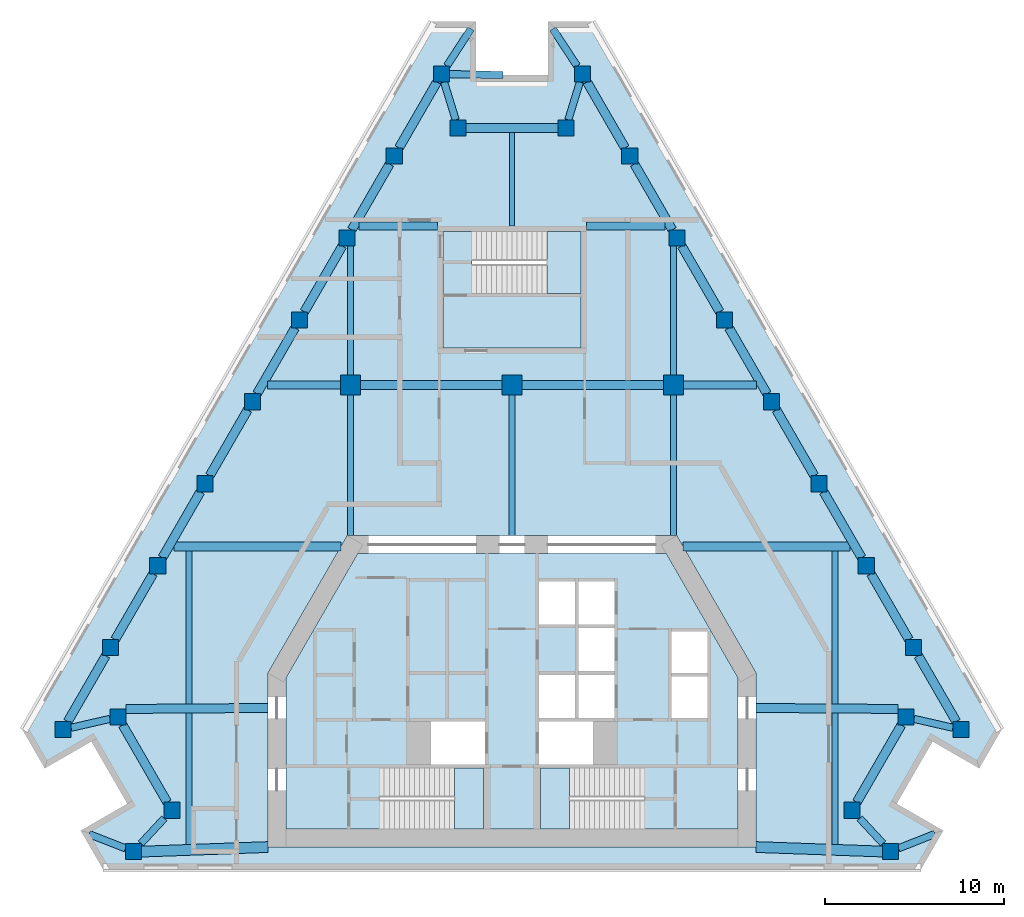
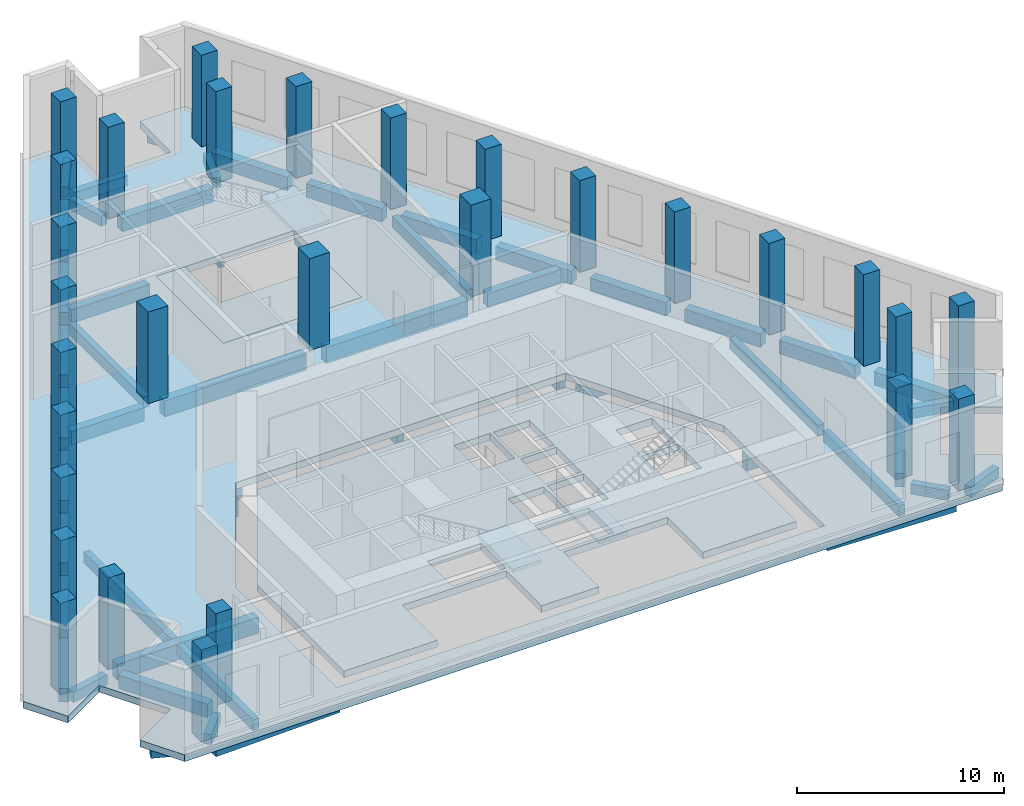
# One storey, part 1 of 7: 52 beams, 29 columns, 6 slabs, 3 elements without a shape of their own.
"""IFC4 building model written with IfcOpenShell, lengths in metres."""

from ifc_helpers import new_model, si_unit, direction, frame, origin, origin_2d, place, context, subcontext, project, spatial, polyline, rectangle, outline, extrude, material, layer, layer_set, material_profile, profile_set, type_object, element, aggregate, save


model = new_model("IFC4")

# Units and contexts
model_context = context("Model", 3, precision=1e-05, world=origin(), true_north=direction((0.0, 1.0)))
body_context = subcontext(model_context, "Body", "Model", "MODEL_VIEW")
ifc_project = project(units=[si_unit("LENGTHUNIT", "METRE"), si_unit("AREAUNIT", "SQUARE_METRE"), si_unit("VOLUMEUNIT", "CUBIC_METRE"), si_unit("PLANEANGLEUNIT", "RADIAN"), si_unit("MASSUNIT", "GRAM", prefix="KILO")], contexts=[model_context])

# Site, building, storey
site_placement = place(None, origin())
site = spatial("IfcSite", under=ifc_project, at=site_placement, CompositionType="ELEMENT")
building_placement = place(site_placement, origin())
building = spatial("IfcBuilding", under=site, at=building_placement, Name="Fogline Exchange Tower", CompositionType="ELEMENT")
storey_placement = place(building_placement, frame((0.0, 0.0, 218.10009765625)))
storey = spatial("IfcBuildingStorey", under=building, at=storey_placement, Name="L49", CompositionType="ELEMENT", Elevation=218.10009765625)

# Columns
ifc_material_1 = material(Name="Concrete C60", Category="concrete")
ifc_material_profile_1 = material_profile(ifc_material_1, rectangle(XDim=1.10009765625, YDim=1.10009765625, at=origin_2d()), Name="RC 1100x1100")
ifc_profile_set_1 = profile_set([ifc_material_profile_1], Name="Concrete C60")
column_type_1 = type_object("IfcColumnType", Name="C05", PredefinedType="COLUMN", material=ifc_profile_set_1)
for number, where, z_axis, x_axis, name in (
    (1, (-9.0, 27.0, 0.0), (0.0, 0.0, 1.0), (1.0, 0.0, 0.0), "IC--9-27"),
    (2, (0.0, 27.0, 0.0), (0.0, 0.0, 1.0), (1.0, 0.0, 0.0), "IC-0-27"),
    (3, (9.0, 27.0, 0.0), (0.0, 0.0, 1.0), (1.0, 0.0, 0.0), "IC-9-27"),
):
    element("IfcColumn", number, at=place(storey_placement, frame(where, z_axis=z_axis, x_axis=x_axis)), inside=storey, type_object=column_type_1, Name=name, PredefinedType="COLUMN", context=body_context, shape_type="SweptSolid", body=[
        extrude(rectangle(XDim=1.10009765625, YDim=1.10009765625, at=origin_2d()), origin(), (0.0, 0.0, 1.0), 5.39990234375),
    ])
ifc_material_profile_2 = material_profile(ifc_material_1, rectangle(XDim=0.89990234375, YDim=0.89990234375, at=origin_2d()), Name="RC 900x900")
ifc_profile_set_2 = profile_set([ifc_material_profile_2], Name="Concrete C60")
column_type_2 = type_object("IfcColumnType", Name="C06", PredefinedType="COLUMN", material=ifc_profile_set_2)
for number, where, z_axis, x_axis, name in (
    (4, (-25.0146484375, 7.794189453125, 0.0), (0.0, 0.0, 1.0), (1.0, 0.0, 0.0), "SW-a"),
    (5, (-21.955322265625, 8.4951171875, 0.0), (0.0, 0.0, 1.0), (1.0, 0.0, 0.0), "SW-p4"),
    (6, (-18.955322265625, 3.299072265625, 0.0), (0.0, 0.0, 1.0), (1.0, 0.0, 0.0), "SW-p3"),
    (7, (-21.092041015625, 1.0, 0.0), (0.0, 0.0, 1.0), (1.0, 0.0, 0.0), "SW-b"),
    (8, (21.092041015625, 1.0, 0.0), (0.0, 0.0, 1.0), (1.0, 0.0, 0.0), "SE-a"),
    (9, (18.955322265625, 3.299072265625, 0.0), (0.0, 0.0, 1.0), (1.0, 0.0, 0.0), "SE-p4"),
    (10, (21.955322265625, 8.4951171875, 0.0), (0.0, 0.0, 1.0), (1.0, 0.0, 0.0), "SE-p3"),
    (11, (25.0146484375, 7.794189453125, 0.0), (0.0, 0.0, 1.0), (1.0, 0.0, 0.0), "SE-b"),
    (12, (22.378173828125, 12.36083984375, 0.0), (0.0, 0.0, 1.0), (1.0, 0.0, 0.0), "E1"),
    (13, (19.74169921875, 16.92724609375, 0.0), (0.0, 0.0, 1.0), (1.0, 0.0, 0.0), "E2"),
    (14, (17.105224609375, 21.493896484375, 0.0), (0.0, 0.0, 1.0), (1.0, 0.0, 0.0), "E3"),
    (15, (14.46875, 26.060302734375, 0.0), (0.0, 0.0, 1.0), (1.0, 0.0, 0.0), "E4"),
    (16, (11.832275390625, 30.626953125, 0.0), (0.0, 0.0, 1.0), (1.0, 0.0, 0.0), "E5"),
    (17, (9.19580078125, 35.193603515625, 0.0), (0.0, 0.0, 1.0), (1.0, 0.0, 0.0), "E6"),
    (18, (6.55908203125, 39.760009765625, 0.0), (0.0, 0.0, 1.0), (1.0, 0.0, 0.0), "E7"),
    (19, (3.922607421875, 44.32666015625, 0.0), (0.0, 0.0, 1.0), (1.0, 0.0, 0.0), "N-a"),
    (20, (3.0, 41.32666015625, 0.0), (0.0, 0.0, 1.0), (1.0, 0.0, 0.0), "N-p4"),
    (21, (-3.0, 41.32666015625, 0.0), (0.0, 0.0, 1.0), (1.0, 0.0, 0.0), "N-p3"),
    (22, (-3.922607421875, 44.32666015625, 0.0), (0.0, 0.0, 1.0), (1.0, 0.0, 0.0), "N-b"),
    (23, (-6.55908203125, 39.760009765625, 0.0), (0.0, 0.0, 1.0), (1.0, 0.0, 0.0), "W1"),
    (24, (-9.19580078125, 35.193603515625, 0.0), (0.0, 0.0, 1.0), (1.0, 0.0, 0.0), "W2"),
    (25, (-11.832275390625, 30.626953125, 0.0), (0.0, 0.0, 1.0), (1.0, 0.0, 0.0), "W3"),
    (26, (-14.46875, 26.060302734375, 0.0), (0.0, 0.0, 1.0), (1.0, 0.0, 0.0), "W4"),
    (27, (-17.105224609375, 21.493896484375, 0.0), (0.0, 0.0, 1.0), (1.0, 0.0, 0.0), "W5"),
    (28, (-19.74169921875, 16.92724609375, 0.0), (0.0, 0.0, 1.0), (1.0, 0.0, 0.0), "W6"),
    (29, (-22.378173828125, 12.36083984375, 0.0), (0.0, 0.0, 1.0), (1.0, 0.0, 0.0), "W7"),
):
    element("IfcColumn", number, at=place(storey_placement, frame(where, z_axis=z_axis, x_axis=x_axis)), inside=storey, type_object=column_type_2, Name=name, PredefinedType="COLUMN", context=body_context, shape_type="SweptSolid", body=[
        extrude(rectangle(XDim=0.89990234375, YDim=0.89990234375, at=origin_2d()), origin(), (0.0, 0.0, 1.0), 5.39990234375),
    ])

# Beams
ifc_material_2 = material(Name="Concrete C40", Category="concrete")
ifc_material_profile_3 = material_profile(ifc_material_2, rectangle(XDim=0.300048828125, YDim=0.60009765625, at=origin_2d()), Name="RC 300x600")
ifc_profile_set_3 = profile_set([ifc_material_profile_3], Name="Concrete C40")
beam_type_1 = type_object("IfcBeamType", Name="B06", PredefinedType="BEAM", material=ifc_profile_set_3)
beam_1_placement = place(storey_placement, frame((0.0, 35.85693359375, -0.7001953125), z_axis=(0.0, 1.0, 0.0), x_axis=(-1.0, 0.0, 0.0)))
element("IfcBeam", 30, at=beam_1_placement, inside=storey, type_object=beam_type_1, Name="SB006", PredefinedType="BEAM", context=body_context, shape_type="SweptSolid", body=[
    extrude(rectangle(XDim=0.300048828125, YDim=0.60009765625, at=origin_2d()), origin(), (0.0, 0.0, 1.0), 5.2197265625),
])
ifc_material_profile_4 = material_profile(ifc_material_2, rectangle(XDim=0.60009765625, YDim=0.89990234375, at=origin_2d()), Name="RC 600x900")
ifc_profile_set_4 = profile_set([ifc_material_profile_4], Name="Concrete C40")
beam_type_2 = type_object("IfcBeamType", Name="B09", PredefinedType="BEAM", material=ifc_profile_set_4)
beam_2_placement = place(storey_placement, frame((-20.64208984375, 0.99462890625, -0.85009765625), z_axis=(0.999343107492, 0.036240219472, 0.0), x_axis=(-0.036240219472, 0.999343107492, 0.0)))
element("IfcBeam", 31, at=beam_2_placement, inside=storey, type_object=beam_type_2, Name="RB004", PredefinedType="BEAM", context=body_context, shape_type="SweptSolid", body=[
    extrude(rectangle(XDim=0.60009765625, YDim=0.89990234375, at=origin_2d()), origin(), (0.0, 0.0, 1.0), 7.046630859375),
])
beam_3_placement = place(storey_placement, frame((13.60009765625, 1.25, -0.85009765625), z_axis=(0.99937042328, -0.035478966629, 0.0), x_axis=(0.035478966629, 0.99937042328, 0.0)))
element("IfcBeam", 32, at=beam_3_placement, inside=storey, type_object=beam_type_2, Name="RB005", PredefinedType="BEAM", context=body_context, shape_type="SweptSolid", body=[
    extrude(rectangle(XDim=0.60009765625, YDim=0.89990234375, at=origin_2d()), origin(), (0.0, 0.0, 1.0), 7.04638671875),
])
ifc_material_profile_5 = material_profile(ifc_material_2, rectangle(XDim=0.5, YDim=0.800048828125, at=origin_2d()), Name="RC 500x800")
ifc_profile_set_5 = profile_set([ifc_material_profile_5], Name="Concrete C40")
beam_type_3 = type_object("IfcBeamType", Name="B10", PredefinedType="BEAM", material=ifc_profile_set_5)
for number, where, z_axis, x_axis, name in (
    (33, (-21.6953125, 8.045166015625, -0.800048828125), (0.499976646485, -0.866038886523, 0.0), (0.866038886523, 0.499976646485, 0.0), "RB002"),
    (34, (19.215087890625, 3.7490234375, -0.800048828125), (0.499976646485, 0.866038886523, 0.0), (-0.866038886523, 0.499976646485, 0.0), "RB007"),
):
    element("IfcBeam", number, at=place(storey_placement, frame(where, z_axis=z_axis, x_axis=x_axis)), inside=storey, type_object=beam_type_3, Name=name, PredefinedType="BEAM", context=body_context, shape_type="SweptSolid", body=[
        extrude(rectangle(XDim=0.5, YDim=0.800048828125, at=origin_2d()), origin(), (0.0, 0.0, 1.0), 4.960693359375),
    ])
beam_4_placement = place(storey_placement, frame((24.7548828125, 8.244140625, -0.800048828125), z_axis=(-0.499990325971, 0.866030989016, 0.0), x_axis=(-0.866030989016, -0.499990325971, 0.0)))
element("IfcBeam", 35, at=beam_4_placement, inside=storey, type_object=beam_type_3, Name="RB009", PredefinedType="BEAM", context=body_context, shape_type="SweptSolid", body=[
    extrude(rectangle(XDim=0.5, YDim=0.800048828125, at=origin_2d()), origin(), (0.0, 0.0, 1.0), 4.23388671875),
])
beam_5_placement = place(storey_placement, frame((22.118408203125, 12.810791015625, -0.800048828125), z_axis=(-0.500015295222, 0.866016572904, 0.0), x_axis=(-0.866016572904, -0.500015295222, 0.0)))
element("IfcBeam", 36, at=beam_5_placement, inside=storey, type_object=beam_type_3, Name="RB010", PredefinedType="BEAM", context=body_context, shape_type="SweptSolid", body=[
    extrude(rectangle(XDim=0.5, YDim=0.800048828125, at=origin_2d()), origin(), (0.0, 0.0, 1.0), 4.233642578125),
])
beam_6_placement = place(storey_placement, frame((19.481689453125, 17.377197265625, -0.800048828125), z_axis=(-0.499947076772, 0.866055956868, 0.0), x_axis=(-0.866055956868, -0.499947076772, 0.0)))
element("IfcBeam", 37, at=beam_6_placement, inside=storey, type_object=beam_type_3, Name="RB011", PredefinedType="BEAM", context=body_context, shape_type="SweptSolid", body=[
    extrude(rectangle(XDim=0.5, YDim=0.800048828125, at=origin_2d()), origin(), (0.0, 0.0, 1.0), 4.23388671875),
])
for number, where, z_axis, x_axis, name in (
    (38, (16.84521484375, 21.94384765625, -0.800048828125), (-0.499972045304, 0.866041542834, 0.0), (-0.866041542834, -0.499972045304, 0.0), "RB012"),
    (39, (14.208740234375, 26.510498046875, -0.800048828125), (-0.499972045304, 0.866041542834, 0.0), (-0.866041542834, -0.499972045304, 0.0), "RB013"),
    (40, (11.572265625, 31.076904296875, -0.800048828125), (-0.499972045304, 0.866041542834, 0.0), (-0.866041542834, -0.499972045304, 0.0), "RB014"),
    (41, (8.935791015625, 35.6435546875, -0.800048828125), (-0.499972045304, 0.866041542834, 0.0), (-0.866041542834, -0.499972045304, 0.0), "RB015"),
    (42, (6.29931640625, 40.210205078125, -0.800048828125), (-0.499972045304, 0.866041542834, 0.0), (-0.866041542834, -0.499972045304, 0.0), "RB016"),
):
    element("IfcBeam", number, at=place(storey_placement, frame(where, z_axis=z_axis, x_axis=x_axis)), inside=storey, type_object=beam_type_3, Name=name, PredefinedType="BEAM", context=body_context, shape_type="SweptSolid", body=[
        extrude(rectangle(XDim=0.5, YDim=0.800048828125, at=origin_2d()), origin(), (0.0, 0.0, 1.0), 4.233642578125),
    ])
beam_7_placement = place(storey_placement, frame((2.550048828125, 41.32666015625, -0.800048828125), z_axis=(-1.0, 0.0, 0.0), x_axis=(0.0, -1.0, 0.0)))
element("IfcBeam", 43, at=beam_7_placement, inside=storey, type_object=beam_type_3, Name="RB018", PredefinedType="BEAM", context=body_context, shape_type="SweptSolid", body=[
    extrude(rectangle(XDim=0.5, YDim=0.800048828125, at=origin_2d()), origin(), (0.0, 0.0, 1.0), 5.10009765625),
])
for number, where, z_axis, x_axis, name in (
    (44, (-4.1826171875, 43.876708984375, -0.800048828125), (-0.499972045304, -0.866041542834, 0.0), (0.866041542834, -0.499972045304, 0.0), "RB020"),
    (45, (-6.819091796875, 39.31005859375, -0.800048828125), (-0.499972045304, -0.866041542834, 0.0), (0.866041542834, -0.499972045304, 0.0), "RB021"),
    (46, (-9.45556640625, 34.743408203125, -0.800048828125), (-0.499972045304, -0.866041542834, 0.0), (0.866041542834, -0.499972045304, 0.0), "RB022"),
    (47, (-12.092041015625, 30.177001953125, -0.800048828125), (-0.499972045304, -0.866041542834, 0.0), (0.866041542834, -0.499972045304, 0.0), "RB023"),
    (48, (-14.728515625, 25.6103515625, -0.800048828125), (-0.499972045304, -0.866041542834, 0.0), (0.866041542834, -0.499972045304, 0.0), "RB024"),
):
    element("IfcBeam", number, at=place(storey_placement, frame(where, z_axis=z_axis, x_axis=x_axis)), inside=storey, type_object=beam_type_3, Name=name, PredefinedType="BEAM", context=body_context, shape_type="SweptSolid", body=[
        extrude(rectangle(XDim=0.5, YDim=0.800048828125, at=origin_2d()), origin(), (0.0, 0.0, 1.0), 4.233642578125),
    ])
beam_8_placement = place(storey_placement, frame((-17.364990234375, 21.0439453125, -0.800048828125), z_axis=(-0.499947076772, -0.866055956868, 0.0), x_axis=(0.866055956868, -0.499947076772, 0.0)))
element("IfcBeam", 49, at=beam_8_placement, inside=storey, type_object=beam_type_3, Name="RB025", PredefinedType="BEAM", context=body_context, shape_type="SweptSolid", body=[
    extrude(rectangle(XDim=0.5, YDim=0.800048828125, at=origin_2d()), origin(), (0.0, 0.0, 1.0), 4.23388671875),
])
beam_9_placement = place(storey_placement, frame((-20.00146484375, 16.477294921875, -0.800048828125), z_axis=(-0.500015295222, -0.866016572904, 0.0), x_axis=(0.866016572904, -0.500015295222, 0.0)))
element("IfcBeam", 50, at=beam_9_placement, inside=storey, type_object=beam_type_3, Name="RB026", PredefinedType="BEAM", context=body_context, shape_type="SweptSolid", body=[
    extrude(rectangle(XDim=0.5, YDim=0.800048828125, at=origin_2d()), origin(), (0.0, 0.0, 1.0), 4.233642578125),
])
beam_10_placement = place(storey_placement, frame((-22.637939453125, 11.910888671875, -0.800048828125), z_axis=(-0.499990325971, -0.866030989016, 0.0), x_axis=(0.866030989016, -0.499990325971, 0.0)))
element("IfcBeam", 51, at=beam_10_placement, inside=storey, type_object=beam_type_3, Name="RB027", PredefinedType="BEAM", context=body_context, shape_type="SweptSolid", body=[
    extrude(rectangle(XDim=0.5, YDim=0.800048828125, at=origin_2d()), origin(), (0.0, 0.0, 1.0), 4.23388671875),
])
ifc_material_profile_6 = material_profile(ifc_material_2, rectangle(XDim=0.39990234375, YDim=0.60009765625, at=origin_2d()), Name="RC 400x600")
ifc_profile_set_6 = profile_set([ifc_material_profile_6], Name="Concrete C40")
beam_type_4 = type_object("IfcBeamType", Name="B11", PredefinedType="BEAM", material=ifc_profile_set_6)
beam_11_placement = place(storey_placement, frame((-24.564697265625, 7.897216796875, -0.7001953125), z_axis=(0.974731818643, 0.223378337636, 0.0), x_axis=(-0.223378337636, 0.974731818643, 0.0)))
element("IfcBeam", 52, at=beam_11_placement, inside=storey, type_object=beam_type_4, Name="RB001", PredefinedType="BEAM", context=body_context, shape_type="SweptSolid", body=[
    extrude(rectangle(XDim=0.39990234375, YDim=0.60009765625, at=origin_2d()), origin(), (0.0, 0.0, 1.0), 2.21533203125),
])
for number, where, z_axis, x_axis, name in (
    (53, (-19.37353515625, 2.84912109375, -0.7001953125), (-0.68075009804, -0.732515736362, 0.0), (0.732515736362, -0.68075009804, 0.0), "RB003"),
    (54, (20.673828125, 1.449951171875, -0.7001953125), (-0.68075009804, 0.732515736362, 0.0), (-0.732515736362, -0.68075009804, 0.0), "RB006"),
):
    element("IfcBeam", number, at=place(storey_placement, frame(where, z_axis=z_axis, x_axis=x_axis)), inside=storey, type_object=beam_type_4, Name=name, PredefinedType="BEAM", context=body_context, shape_type="SweptSolid", body=[
        extrude(rectangle(XDim=0.39990234375, YDim=0.60009765625, at=origin_2d()), origin(), (0.0, 0.0, 1.0), 1.91015625),
    ])
beam_12_placement = place(storey_placement, frame((22.4052734375, 8.39208984375, -0.7001953125), z_axis=(0.974731818643, -0.223378337636, 0.0), x_axis=(0.223378337636, 0.974731818643, 0.0)))
element("IfcBeam", 55, at=beam_12_placement, inside=storey, type_object=beam_type_4, Name="RB008", PredefinedType="BEAM", context=body_context, shape_type="SweptSolid", body=[
    extrude(rectangle(XDim=0.39990234375, YDim=0.60009765625, at=origin_2d()), origin(), (0.0, 0.0, 1.0), 2.21533203125),
])
for number, where, z_axis, x_axis, name in (
    (56, (3.7841796875, 43.876708984375, -0.7001953125), (-0.293906253456, -0.95583425037, 0.0), (0.95583425037, -0.293906253456, 0.0), "RB017"),
    (57, (-3.138427734375, 41.776611328125, -0.7001953125), (-0.293906253456, 0.95583425037, 0.0), (-0.95583425037, -0.293906253456, 0.0), "RB019"),
):
    element("IfcBeam", number, at=place(storey_placement, frame(where, z_axis=z_axis, x_axis=x_axis)), inside=storey, type_object=beam_type_4, Name=name, PredefinedType="BEAM", context=body_context, shape_type="SweptSolid", body=[
        extrude(rectangle(XDim=0.39990234375, YDim=0.60009765625, at=origin_2d()), origin(), (0.0, 0.0, 1.0), 2.197021484375),
    ])
beam_13_placement = place(storey_placement, frame((3.627685546875, 44.776611328125, -0.7001953125), z_axis=(-0.548384177003, 0.836226520993, 0.0), x_axis=(-0.836226520993, -0.548384177003, 0.0)))
element("IfcBeam", 58, at=beam_13_placement, inside=storey, type_object=beam_type_4, Name="SP028", PredefinedType="BEAM", context=body_context, shape_type="SweptSolid", body=[
    extrude(rectangle(XDim=0.39990234375, YDim=0.60009765625, at=origin_2d()), origin(), (0.0, 0.0, 1.0), 2.46826171875),
])
beam_14_placement = place(storey_placement, frame((-3.630126953125, 44.776611328125, -0.7001953125), z_axis=(0.544943067499, 0.838473048574, 0.0), x_axis=(-0.838473048574, 0.544943067499, 0.0)))
element("IfcBeam", 59, at=beam_14_placement, inside=storey, type_object=beam_type_4, Name="SP029", PredefinedType="BEAM", context=body_context, shape_type="SweptSolid", body=[
    extrude(rectangle(XDim=0.39990234375, YDim=0.60009765625, at=origin_2d()), origin(), (0.0, 0.0, 1.0), 2.463623046875),
])
beam_15_placement = place(storey_placement, frame((21.5419921875, 1.178466796875, -0.7001953125), z_axis=(0.929561366539, 0.368667419007, 0.0), x_axis=(-0.368667419007, 0.929561366539, 0.0)))
element("IfcBeam", 60, at=beam_15_placement, inside=storey, type_object=beam_type_4, Name="SP030", PredefinedType="BEAM", context=body_context, shape_type="SweptSolid", body=[
    extrude(rectangle(XDim=0.39990234375, YDim=0.60009765625, at=origin_2d()), origin(), (0.0, 0.0, 1.0), 2.1806640625),
])
beam_16_placement = place(storey_placement, frame((-21.5419921875, 1.176513671875, -0.7001953125), z_axis=(-0.930937227708, 0.365179241014, 0.0), x_axis=(-0.365179241014, -0.930937227708, 0.0)))
element("IfcBeam", 61, at=beam_16_placement, inside=storey, type_object=beam_type_4, Name="SP031", PredefinedType="BEAM", context=body_context, shape_type="SweptSolid", body=[
    extrude(rectangle(XDim=0.39990234375, YDim=0.60009765625, at=origin_2d()), origin(), (0.0, 0.0, 1.0), 2.17138671875),
])
beam_17_placement = place(storey_placement, frame((-3.47265625, 44.319091796875, -0.7001953125), z_axis=(0.999862941175, -0.016555931393, 0.0), x_axis=(0.016555931393, 0.999862941175, 0.0)))
element("IfcBeam", 62, at=beam_17_placement, inside=storey, type_object=beam_type_4, Name="SP032", PredefinedType="BEAM", context=body_context, shape_type="SweptSolid", body=[
    extrude(rectangle(XDim=0.39990234375, YDim=0.60009765625, at=origin_2d()), origin(), (0.0, 0.0, 1.0), 2.964111328125),
])
ifc_material_profile_7 = material_profile(ifc_material_2, rectangle(XDim=0.5, YDim=0.949951171875, at=origin_2d()), Name="RC 500x950")
ifc_profile_set_7 = profile_set([ifc_material_profile_7], Name="Concrete C40")
beam_type_5 = type_object("IfcBeamType", Name="B14", PredefinedType="BEAM", material=ifc_profile_set_7)
for number, where, z_axis, x_axis, name in (
    (63, (-21.50537109375, 8.9453125, -0.875), (0.999976072531, 0.006917684998, 0.0), (-0.006917684998, 0.999976072531, 0.0), "GB001"),
    (64, (13.60009765625, 9.0, -0.875), (0.999976072531, -0.006917684998, 0.0), (0.006917684998, 0.999976072531, 0.0), "GB002"),
):
    element("IfcBeam", number, at=place(storey_placement, frame(where, z_axis=z_axis, x_axis=x_axis)), inside=storey, type_object=beam_type_5, Name=name, PredefinedType="BEAM", context=body_context, shape_type="SweptSolid", body=[
        extrude(rectangle(XDim=0.5, YDim=0.949951171875, at=origin_2d()), origin(), (0.0, 0.0, 1.0), 7.905517578125),
    ])
for number, where, z_axis, x_axis, name in (
    (65, (-18.833740234375, 18.0, -0.875), (1.0, 0.0, 0.0), (0.0, 1.0, 0.0), "GB003"),
    (66, (9.527099609375, 18.0, -0.875), (1.0, 0.0, 0.0), (0.0, 1.0, 0.0), "GB004"),
):
    element("IfcBeam", number, at=place(storey_placement, frame(where, z_axis=z_axis, x_axis=x_axis)), inside=storey, type_object=beam_type_5, Name=name, PredefinedType="BEAM", context=body_context, shape_type="SweptSolid", body=[
        extrude(rectangle(XDim=0.5, YDim=0.949951171875, at=origin_2d()), origin(), (0.0, 0.0, 1.0), 9.306640625),
    ])
for number, where, z_axis, x_axis, name in (
    (67, (-8.449951171875, 27.0, -0.875), (1.0, 0.0, 0.0), (0.0, 1.0, 0.0), "GB006"),
    (68, (0.550048828125, 27.0, -0.875), (1.0, 0.0, 0.0), (0.0, 1.0, 0.0), "GB007"),
):
    element("IfcBeam", number, at=place(storey_placement, frame(where, z_axis=z_axis, x_axis=x_axis)), inside=storey, type_object=beam_type_5, Name=name, PredefinedType="BEAM", context=body_context, shape_type="SweptSolid", body=[
        extrude(rectangle(XDim=0.5, YDim=0.949951171875, at=origin_2d()), origin(), (0.0, 0.0, 1.0), 7.89990234375),
    ])
ifc_material_profile_8 = material_profile(ifc_material_2, rectangle(XDim=0.35009765625, YDim=0.64990234375, at=origin_2d()), Name="RC 350x650")
ifc_profile_set_8 = profile_set([ifc_material_profile_8], Name="Concrete C40")
beam_type_6 = type_object("IfcBeamType", Name="B16", PredefinedType="BEAM", material=ifc_profile_set_8)
beam_18_placement = place(storey_placement, frame((-18.0, 1.390625, -0.72509765625), z_axis=(0.0, 1.0, 0.0), x_axis=(-1.0, 0.0, 0.0)))
element("IfcBeam", 69, at=beam_18_placement, inside=storey, type_object=beam_type_6, Name="SB001", PredefinedType="BEAM", context=body_context, shape_type="SweptSolid", body=[
    extrude(rectangle(XDim=0.35009765625, YDim=0.64990234375, at=origin_2d()), origin(), (0.0, 0.0, 1.0), 7.328857421875),
])
beam_19_placement = place(storey_placement, frame((-18.0, 9.219482421875, -0.72509765625), z_axis=(0.0, 1.0, 0.0), x_axis=(-1.0, 0.0, 0.0)))
element("IfcBeam", 70, at=beam_19_placement, inside=storey, type_object=beam_type_6, Name="SB002", PredefinedType="BEAM", context=body_context, shape_type="SweptSolid", body=[
    extrude(rectangle(XDim=0.35009765625, YDim=0.64990234375, at=origin_2d()), origin(), (0.0, 0.0, 1.0), 8.530517578125),
])
beam_20_placement = place(storey_placement, frame((-9.0, 18.60009765625, -0.72509765625), z_axis=(0.0, 1.0, 0.0), x_axis=(-1.0, 0.0, 0.0)))
element("IfcBeam", 71, at=beam_20_placement, inside=storey, type_object=beam_type_6, Name="SB003", PredefinedType="BEAM", context=body_context, shape_type="SweptSolid", body=[
    extrude(rectangle(XDim=0.35009765625, YDim=0.64990234375, at=origin_2d()), origin(), (0.0, 0.0, 1.0), 7.849853515625),
])
beam_21_placement = place(storey_placement, frame((-9.0, 27.550048828125, -0.72509765625), z_axis=(0.0, 1.0, 0.0), x_axis=(-1.0, 0.0, 0.0)))
element("IfcBeam", 72, at=beam_21_placement, inside=storey, type_object=beam_type_6, Name="SB004", PredefinedType="BEAM", context=body_context, shape_type="SweptSolid", body=[
    extrude(rectangle(XDim=0.35009765625, YDim=0.64990234375, at=origin_2d()), origin(), (0.0, 0.0, 1.0), 7.193359375),
])
for number, where, z_axis, x_axis, name in (
    (73, (0.0, 18.60009765625, -0.72509765625), (0.0, 1.0, 0.0), (-1.0, 0.0, 0.0), "SB005"),
    (74, (9.0, 18.60009765625, -0.72509765625), (0.0, 1.0, 0.0), (-1.0, 0.0, 0.0), "SB007"),
):
    element("IfcBeam", number, at=place(storey_placement, frame(where, z_axis=z_axis, x_axis=x_axis)), inside=storey, type_object=beam_type_6, Name=name, PredefinedType="BEAM", context=body_context, shape_type="SweptSolid", body=[
        extrude(rectangle(XDim=0.35009765625, YDim=0.64990234375, at=origin_2d()), origin(), (0.0, 0.0, 1.0), 7.849853515625),
    ])
beam_22_placement = place(storey_placement, frame((9.0, 27.550048828125, -0.72509765625), z_axis=(0.0, 1.0, 0.0), x_axis=(-1.0, 0.0, 0.0)))
element("IfcBeam", 75, at=beam_22_placement, inside=storey, type_object=beam_type_6, Name="SB008", PredefinedType="BEAM", context=body_context, shape_type="SweptSolid", body=[
    extrude(rectangle(XDim=0.35009765625, YDim=0.64990234375, at=origin_2d()), origin(), (0.0, 0.0, 1.0), 7.193359375),
])
beam_23_placement = place(storey_placement, frame((18.0, 1.39404296875, -0.72509765625), z_axis=(0.0, 1.0, 0.0), x_axis=(-1.0, 0.0, 0.0)))
element("IfcBeam", 76, at=beam_23_placement, inside=storey, type_object=beam_type_6, Name="SB009", PredefinedType="BEAM", context=body_context, shape_type="SweptSolid", body=[
    extrude(rectangle(XDim=0.35009765625, YDim=0.64990234375, at=origin_2d()), origin(), (0.0, 0.0, 1.0), 7.325439453125),
])
beam_24_placement = place(storey_placement, frame((18.0, 9.219482421875, -0.72509765625), z_axis=(0.0, 1.0, 0.0), x_axis=(-1.0, 0.0, 0.0)))
element("IfcBeam", 77, at=beam_24_placement, inside=storey, type_object=beam_type_6, Name="SB010", PredefinedType="BEAM", context=body_context, shape_type="SweptSolid", body=[
    extrude(rectangle(XDim=0.35009765625, YDim=0.64990234375, at=origin_2d()), origin(), (0.0, 0.0, 1.0), 8.530517578125),
])
ifc_material_profile_9 = material_profile(ifc_material_2, rectangle(XDim=0.449951171875, YDim=0.800048828125, at=origin_2d()), Name="RC 450x800")
ifc_profile_set_9 = profile_set([ifc_material_profile_9], Name="Concrete C40")
beam_type_7 = type_object("IfcBeamType", Name="B18", PredefinedType="BEAM", material=ifc_profile_set_9)
for number, where, z_axis, x_axis, name in (
    (78, (-13.637451171875, 27.0, -0.800048828125), (1.0, 0.0, 0.0), (0.0, 1.0, 0.0), "GB005"),
    (79, (9.550048828125, 27.0, -0.800048828125), (1.0, 0.0, 0.0), (0.0, 1.0, 0.0), "GB008"),
):
    element("IfcBeam", number, at=place(storey_placement, frame(where, z_axis=z_axis, x_axis=x_axis)), inside=storey, type_object=beam_type_7, Name=name, PredefinedType="BEAM", context=body_context, shape_type="SweptSolid", body=[
        extrude(rectangle(XDim=0.449951171875, YDim=0.800048828125, at=origin_2d()), origin(), (0.0, 0.0, 1.0), 4.08740234375),
    ])
for number, where, z_axis, x_axis, name in (
    (80, (-8.52392578125, 35.85693359375, -0.800048828125), (1.0, 0.0, 0.0), (0.0, 1.0, 0.0), "GB009"),
    (81, (4.14990234375, 35.85693359375, -0.800048828125), (1.0, 0.0, 0.0), (0.0, 1.0, 0.0), "GB010"),
):
    element("IfcBeam", number, at=place(storey_placement, frame(where, z_axis=z_axis, x_axis=x_axis)), inside=storey, type_object=beam_type_7, Name=name, PredefinedType="BEAM", context=body_context, shape_type="SweptSolid", body=[
        extrude(rectangle(XDim=0.449951171875, YDim=0.800048828125, at=origin_2d()), origin(), (0.0, 0.0, 1.0), 4.3740234375),
    ])

# Slabs
ifc_layer_1 = layer(ifc_material_2, 0.39990234375)
ifc_layer_set_1 = layer_set([ifc_layer_1], Name="S03")
slab_type_1 = type_object("IfcSlabType", Name="S03", PredefinedType="FLOOR", material=ifc_layer_set_1)
slab_1_placement = place(storey_placement, frame((0.0, 0.0, -0.400146484375)))
element("IfcSlab", 82, at=slab_1_placement, inside=storey, type_object=slab_type_1, Name="SLAB L49", PredefinedType="FLOOR", context=body_context, shape_type="SweptSolid", body=[
    extrude(outline(polyline([(-2.0, 47.26171875), (-4.5, 47.26171875), (-27.28662109375, 7.794189453125), (-26.03662109375, 5.629150390625), (-23.4384765625, 7.129150390625), (-21.4384765625, 3.6650390625), (-24.03662109375, 2.1650390625), (-22.78662109375, 0.0), (22.78662109375, 0.0), (24.03662109375, 2.1650390625), (21.4384765625, 3.6650390625), (23.4384765625, 7.129150390625), (26.03662109375, 5.629150390625), (27.28662109375, 7.794189453125), (4.5, 47.26171875), (2.0, 47.26171875), (2.0, 44.26171875), (-2.0, 44.26171875), (-2.0, 47.26171875)]), holes=[polyline([(13.60009765625, 10.9453125), (13.60009765625, 1.25), (-13.60009765625, 1.25), (-13.60009765625, 10.9453125), (-9.1806640625, 18.60009765625), (9.1806640625, 18.60009765625), (13.60009765625, 10.9453125)]), polyline([(3.85009765625, 35.556884765625), (3.85009765625, 29.056884765625), (-3.85009765625, 29.056884765625), (-3.85009765625, 35.556884765625), (3.85009765625, 35.556884765625)])]), origin(), (0.0, 0.0, 1.0), 0.400146484375),
])
slab_2_placement = place(storey_placement, frame((0.0, 0.0, -0.400146484375)))
element("IfcSlab", 83, at=slab_2_placement, inside=storey, type_object=slab_type_1, Name="Core floor slab", PredefinedType="FLOOR", context=body_context, shape_type="SweptSolid", body=[
    extrude(outline(polyline([(-12.60009765625, 2.25), (-12.60009765625, 10.677490234375), (-8.603271484375, 17.60009765625), (8.603271484375, 17.60009765625), (12.60009765625, 10.677490234375), (12.60009765625, 2.25), (7.389892578125, 2.25), (7.389892578125, 5.64990234375), (1.60009765625, 5.64990234375), (1.60009765625, 2.25), (-1.60009765625, 2.25), (-1.60009765625, 5.64990234375), (-7.389892578125, 5.64990234375), (-7.389892578125, 2.25), (-12.60009765625, 2.25)]), holes=[polyline([(-4.5, 8.25), (-4.5, 5.85009765625), (-1.5, 5.85009765625), (-1.5, 8.25), (-4.5, 8.25)]), polyline([(4.5, 8.25), (1.5, 8.25), (1.5, 5.85009765625), (4.5, 5.85009765625), (4.5, 8.25)]), polyline([(3.5, 10.85009765625), (1.5, 10.85009765625), (1.5, 8.449951171875), (3.5, 8.449951171875), (3.5, 10.85009765625)]), polyline([(1.5, 16.050048828125), (1.5, 13.64990234375), (3.5, 13.64990234375), (3.5, 16.050048828125), (1.5, 16.050048828125)]), polyline([(10.89990234375, 10.75), (8.89990234375, 10.75), (8.89990234375, 8.449951171875), (10.89990234375, 8.449951171875), (10.89990234375, 10.75)]), polyline([(5.699951171875, 10.85009765625), (3.699951171875, 10.85009765625), (3.699951171875, 8.449951171875), (5.699951171875, 8.449951171875), (5.699951171875, 10.85009765625)]), polyline([(8.89990234375, 13.25), (8.89990234375, 10.949951171875), (10.89990234375, 10.949951171875), (10.89990234375, 13.25), (8.89990234375, 13.25)]), polyline([(5.699951171875, 13.449951171875), (3.699951171875, 13.449951171875), (3.699951171875, 11.050048828125), (5.699951171875, 11.050048828125), (5.699951171875, 13.449951171875)]), polyline([(5.699951171875, 16.050048828125), (3.699951171875, 16.050048828125), (3.699951171875, 13.64990234375), (5.699951171875, 13.64990234375), (5.699951171875, 16.050048828125)])]), origin(), (0.0, 0.0, 1.0), 0.400146484375),
])
slab_3_placement = place(storey_placement, frame((0.0, 0.0, -0.400146484375)))
element("IfcSlab", 84, at=slab_3_placement, inside=storey, type_object=slab_type_1, Name="Stair enclosure floor slab", PredefinedType="FLOOR", context=body_context, shape_type="SweptSolid", body=[
    extrude(outline(polyline([(3.85009765625, 29.056884765625), (-3.85009765625, 29.056884765625), (-3.85009765625, 35.556884765625), (-2.239990234375, 35.556884765625), (-2.239990234375, 32.10693359375), (3.85009765625, 32.10693359375), (3.85009765625, 29.056884765625)])), origin(), (0.0, 0.0, 1.0), 0.400146484375),
])

# Stair, slab
stair_type = type_object("IfcStairType", Name="STR32-1688", PredefinedType="HALF_TURN_STAIR", material=ifc_material_2)
stair_1_placement = place(storey_placement, origin())
stair_1 = element("IfcStair", 85, at=stair_1_placement, inside=storey, type_object=stair_type, Name="Stair ST1", PredefinedType="HALF_TURN_STAIR")
ifc_layer_2 = layer(ifc_material_2, 0.199951171875)
ifc_layer_set_2 = layer_set([ifc_layer_2], Name="SL200")
slab_type_2 = type_object("IfcSlabType", Name="SL200", PredefinedType="LANDING", material=ifc_layer_set_2)
slab_4_placement = place(storey_placement, frame((0.0, 0.0, 2.5)))
slab_4 = element("IfcSlab", 86, at=slab_4_placement, type_object=slab_type_2, Name="ST1 landing 1", PredefinedType="LANDING", context=body_context, shape_type="SweptSolid", body=[
    extrude(outline(polyline([(-3.199951171875, 2.25), (-1.60009765625, 2.25), (-1.60009765625, 5.64990234375), (-3.199951171875, 5.64990234375), (-3.199951171875, 2.25)])), origin(), (0.0, 0.0, 1.0), 0.199951171875),
])
aggregate(stair_1, [slab_4])

stair_2_placement = place(storey_placement, origin())
stair_2 = element("IfcStair", 87, at=stair_2_placement, inside=storey, type_object=stair_type, Name="Stair ST2", PredefinedType="HALF_TURN_STAIR")
slab_5_placement = place(storey_placement, frame((0.0, 0.0, 2.5)))
slab_5 = element("IfcSlab", 88, at=slab_5_placement, type_object=slab_type_2, Name="ST2 landing 1", PredefinedType="LANDING", context=body_context, shape_type="SweptSolid", body=[
    extrude(outline(polyline([(1.60009765625, 2.25), (3.199951171875, 2.25), (3.199951171875, 5.64990234375), (1.60009765625, 5.64990234375), (1.60009765625, 2.25)])), origin(), (0.0, 0.0, 1.0), 0.199951171875),
])
aggregate(stair_2, [slab_5])

stair_3_placement = place(storey_placement, origin())
stair_3 = element("IfcStair", 89, at=stair_3_placement, inside=storey, type_object=stair_type, Name="Stair ST3", PredefinedType="HALF_TURN_STAIR")
slab_6_placement = place(storey_placement, frame((0.0, 0.0, 2.5)))
slab_6 = element("IfcSlab", 90, at=slab_6_placement, type_object=slab_type_2, Name="ST3 landing 1", PredefinedType="LANDING", context=body_context, shape_type="SweptSolid", body=[
    extrude(outline(polyline([(1.949951171875, 32.10693359375), (3.85009765625, 32.10693359375), (3.85009765625, 35.556884765625), (1.949951171875, 35.556884765625), (1.949951171875, 32.10693359375)])), origin(), (0.0, 0.0, 1.0), 0.199951171875),
])
aggregate(stair_3, [slab_6])

save(model, "model.ifc")
